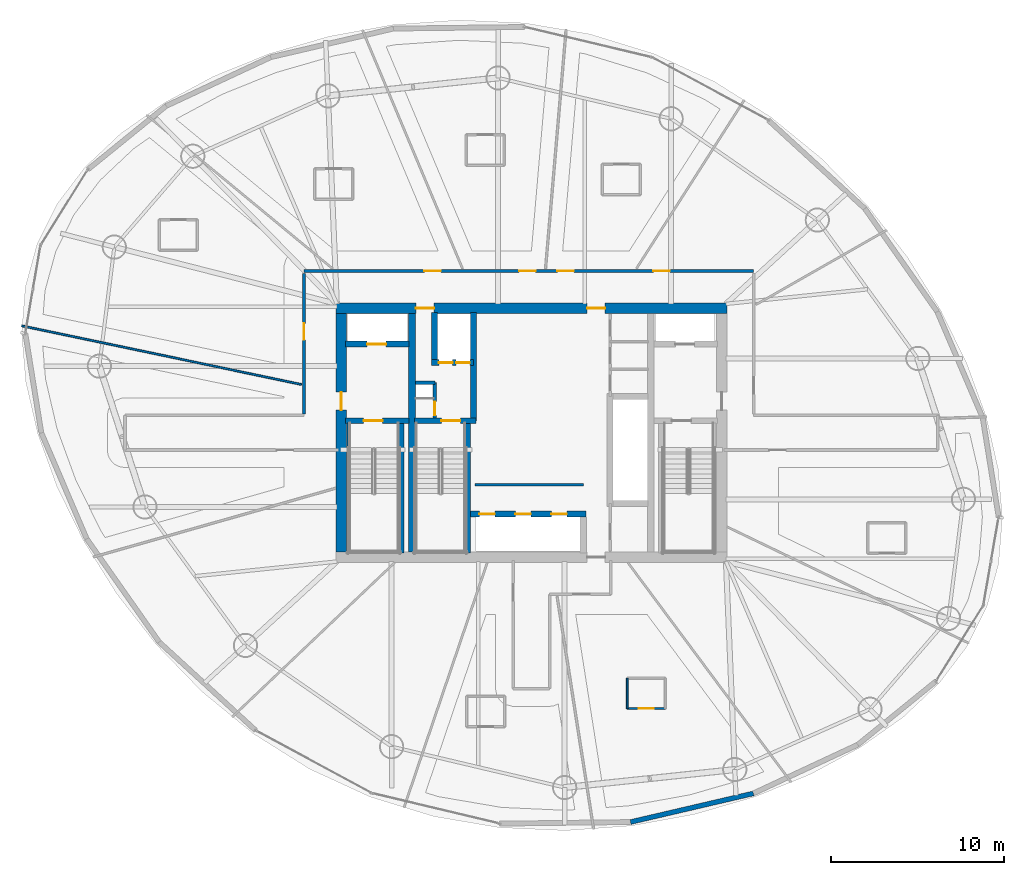
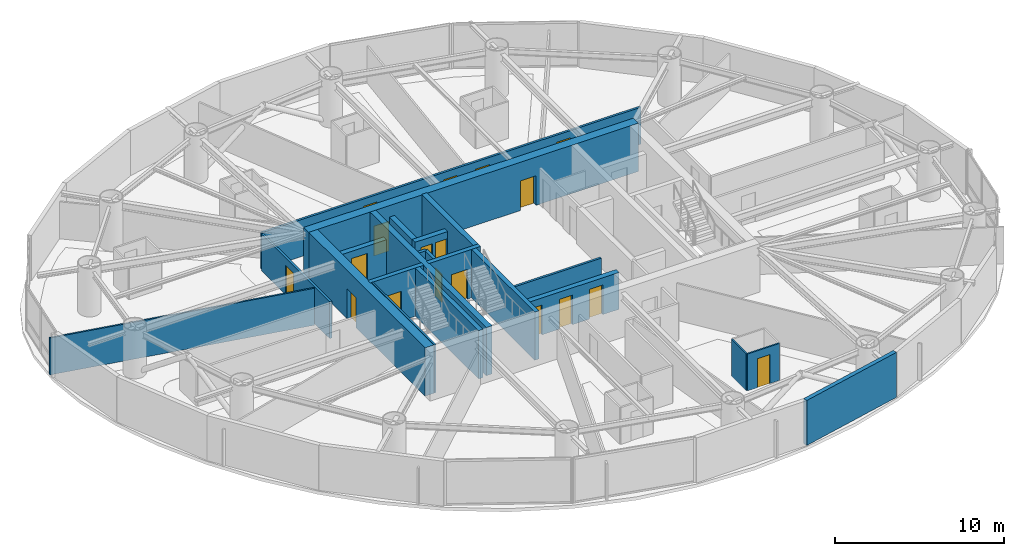
# One storey, part 16 of 22: 22 walls, 18 doors, 18 openings.
"""IFC4 building model written with IfcOpenShell, lengths in metres."""

from ifc_helpers import new_model, si_unit, direction, frame, frame_2d, origin, place, context, subcontext, project, spatial, rectangle, extrude, material, layer, layer_set, type_object, element, fill, save


model = new_model("IFC4")

# Units and contexts
model_context = context("Model", 3, precision=1e-05, world=origin(), true_north=direction((0.0, 1.0)))
body_context = subcontext(model_context, "Body", "Model", "MODEL_VIEW")
ifc_project = project(units=[si_unit("LENGTHUNIT", "METRE"), si_unit("AREAUNIT", "SQUARE_METRE"), si_unit("VOLUMEUNIT", "CUBIC_METRE"), si_unit("PLANEANGLEUNIT", "RADIAN"), si_unit("MASSUNIT", "GRAM", prefix="KILO")], contexts=[model_context])

# Site, building, storey
site_placement = place(None, origin())
site = spatial("IfcSite", under=ifc_project, at=site_placement, CompositionType="ELEMENT")
building_placement = place(site_placement, origin())
building = spatial("IfcBuilding", under=site, at=building_placement, Name="Bramvorn Convention Spire", CompositionType="ELEMENT")
storey_placement = place(building_placement, frame((0.0, 0.0, 116.800048828125)))
storey = spatial("IfcBuildingStorey", under=building, at=storey_placement, Name="L28", CompositionType="ELEMENT", Elevation=116.800048828125)

# Wall, openings, doors
ifc_material_1 = material(Name="Concrete C60/70", Category="concrete")
ifc_layer_1 = layer(ifc_material_1, 0.60009765625)
ifc_layer_set_1 = layer_set([ifc_layer_1], Name="Concrete C60/70 - WL-CORE-600")
wall_type_1 = type_object("IfcWallType", Name="WL-CORE-600", PredefinedType="SHEAR", material=ifc_layer_set_1)
wall_1_placement = place(storey_placement, frame((26.699951171875, 33.199951171875, 0.0), z_axis=(0.0, 0.0, 1.0), x_axis=(1.0, 0.0, 0.0)))
wall_1 = element("IfcWall", 1, at=wall_1_placement, inside=storey, type_object=wall_type_1, Name="L28 North RC core shear wall", PredefinedType="SHEAR", context=body_context, shape_type="SweptSolid", body=[
    extrude(rectangle(XDim=22.60009765625, YDim=0.60009765625, at=frame_2d((11.300048828125, 0.0))), origin(), (0.0, 0.0, 1.0), 3.5),
])
opening_1_placement = place(wall_1_placement, frame((4.6201171875, 0.0, 0.0)))
opening_1 = element("IfcOpeningElement", 2, at=opening_1_placement, cuts=wall_1, Name="Opening DL-105", PredefinedType="OPENING", context=body_context, shape_type="SweptSolid", body=[
    extrude(rectangle(XDim=1.050048828125, YDim=2.14990234375, at=frame_2d((0.52490234375, 1.074951171875))), frame((0.0, 0.31005859375, 0.0), z_axis=(0.0, -1.0, 0.0), x_axis=(1.0, 0.0, 0.0)), (0.0, 0.0, 1.0), 0.6201171875),
])
opening_2_placement = place(wall_1_placement, frame((14.52001953125, 0.0, 0.0)))
opening_2 = element("IfcOpeningElement", 3, at=opening_2_placement, cuts=wall_1, Name="Opening DL-105", PredefinedType="OPENING", context=body_context, shape_type="SweptSolid", body=[
    extrude(rectangle(XDim=1.050048828125, YDim=2.14990234375, at=frame_2d((0.52490234375, 1.074951171875))), frame((0.0, 0.31005859375, 0.0), z_axis=(0.0, -1.0, 0.0), x_axis=(1.0, 0.0, 0.0)), (0.0, 0.0, 1.0), 0.6201171875),
])
ifc_material_2 = material(Name="Smoke-Sealed Fire Lobby Timber-Core Door", Category="wood")
door_type_1 = type_object("IfcDoorType", Name="DR-LOBBY-1050", OperationType="NOTDEFINED", PredefinedType="DOOR", material=ifc_material_2)
door_1_placement = place(opening_1_placement, origin())
door_1 = element("IfcDoor", 4, at=door_1_placement, inside=storey, type_object=door_type_1, Name="L28 Service & Stair ST3 Lobby north corridor door", OperationType="SINGLE_SWING_LEFT", OverallHeight=2.14990234375, OverallWidth=1.050048828125, PredefinedType="DOOR", context=body_context, shape_type="SweptSolid", body=[
    extrude(rectangle(XDim=1.050048828125, YDim=2.14990234375, at=frame_2d((0.52490234375, 1.074951171875))), frame((0.0, 0.02490234375, 0.0), z_axis=(0.0, -1.0, 0.0), x_axis=(1.0, 0.0, 0.0)), (0.0, 0.0, 1.0), 0.050048828125),
])
fill(opening_1, door_1)
door_2_placement = place(opening_2_placement, origin())
door_2 = element("IfcDoor", 5, at=door_2_placement, inside=storey, type_object=door_type_1, Name="L28 North Lift Lobby fire door", OperationType="SINGLE_SWING_LEFT", OverallHeight=2.14990234375, OverallWidth=1.050048828125, PredefinedType="DOOR", context=body_context, shape_type="SweptSolid", body=[
    extrude(rectangle(XDim=1.050048828125, YDim=2.14990234375, at=frame_2d((0.52490234375, 1.074951171875))), frame((0.0, 0.02490234375, 0.0), z_axis=(0.0, -1.0, 0.0), x_axis=(1.0, 0.0, 0.0)), (0.0, 0.0, 1.0), 0.050048828125),
])
fill(opening_2, door_2)

# Wall, opening, door
wall_2_placement = place(storey_placement, frame((27.0, 19.10009765625, 0.0), z_axis=(0.0, 0.0, 1.0), x_axis=(0.0, 1.0, 0.0)))
wall_2 = element("IfcWall", 6, at=wall_2_placement, inside=storey, type_object=wall_type_1, Name="L28 West RC core shear wall", PredefinedType="SHEAR", context=body_context, shape_type="SweptSolid", body=[
    extrude(rectangle(XDim=13.7998046875, YDim=0.60009765625, at=frame_2d((6.89990234375, 0.0))), origin(), (0.0, 0.0, 1.0), 3.5),
])
opening_3_placement = place(wall_2_placement, frame((8.199951171875, 0.0, 0.0)))
opening_3 = element("IfcOpeningElement", 7, at=opening_3_placement, cuts=wall_2, Name="Opening DL-105", PredefinedType="OPENING", context=body_context, shape_type="SweptSolid", body=[
    extrude(rectangle(XDim=1.050048828125, YDim=2.14990234375, at=frame_2d((0.52490234375, 1.074951171875))), frame((0.0, 0.31005859375, 0.0), z_axis=(0.0, -1.0, 0.0), x_axis=(1.0, 0.0, 0.0)), (0.0, 0.0, 1.0), 0.6201171875),
])
door_3_placement = place(opening_3_placement, origin())
door_3 = element("IfcDoor", 8, at=door_3_placement, inside=storey, type_object=door_type_1, Name="L28 West Firefighting Lobby corridor door", OperationType="SINGLE_SWING_RIGHT", OverallHeight=2.14990234375, OverallWidth=1.050048828125, PredefinedType="DOOR", context=body_context, shape_type="SweptSolid", body=[
    extrude(rectangle(XDim=1.050048828125, YDim=2.14990234375, at=frame_2d((0.52490234375, 1.074951171875))), frame((0.0, 0.02490234375, 0.0), z_axis=(0.0, -1.0, 0.0), x_axis=(1.0, 0.0, 0.0)), (0.0, 0.0, 1.0), 0.050048828125),
])
fill(opening_3, door_3)

ifc_material_3 = material(Name="Concrete C50/60", Category="concrete")
ifc_layer_2 = layer(ifc_material_3, 0.35009765625)
ifc_layer_set_2 = layer_set([ifc_layer_2], Name="Concrete C50/60 - WL-CORE-INT-350")
wall_type_2 = type_object("IfcWallType", Name="WL-CORE-INT-350", PredefinedType="SHEAR", material=ifc_layer_set_2)
wall_3_placement = place(storey_placement, frame((27.25, 31.1201171875, 0.0), z_axis=(0.0, 0.0, 1.0), x_axis=(1.0, 0.0, 0.0)))
wall_3 = element("IfcWall", 9, at=wall_3_placement, inside=storey, type_object=wall_type_2, Name="L28 FE1 shaft front wall", PredefinedType="SHEAR", context=body_context, shape_type="SweptSolid", body=[
    extrude(rectangle(XDim=3.669921875, YDim=0.35009765625, at=frame_2d((1.8349609375, 0.0))), origin(), (0.0, 0.0, 1.0), 2.675048828125),
])
opening_4_placement = place(wall_3_placement, frame((1.25, 0.0, 0.0)))
opening_4 = element("IfcOpeningElement", 10, at=opening_4_placement, cuts=wall_3, Name="Opening LD-110", PredefinedType="OPENING", context=body_context, shape_type="SweptSolid", body=[
    extrude(rectangle(XDim=1.10009765625, YDim=2.14990234375, at=frame_2d((0.550048828125, 1.074951171875))), frame((0.0, 0.18505859375, 0.0), z_axis=(0.0, -1.0, 0.0), x_axis=(1.0, 0.0, 0.0)), (0.0, 0.0, 1.0), 0.3701171875),
])
ifc_material_4 = material(Name="Firefighting & Service Lift Sliding Landing Door", Category="steel")
door_type_2 = type_object("IfcDoorType", Name="DR-LIFT-LD-1100", OperationType="NOTDEFINED", PredefinedType="DOOR", material=ifc_material_4)
door_4_placement = place(opening_4_placement, origin())
door_4 = element("IfcDoor", 11, at=door_4_placement, inside=storey, type_object=door_type_2, Name="L28 Lift FE1 Sliding Landing Door", OperationType="SLIDING_TO_LEFT", OverallHeight=2.14990234375, OverallWidth=1.10009765625, PredefinedType="DOOR", context=body_context, shape_type="SweptSolid", body=[
    extrude(rectangle(XDim=1.10009765625, YDim=2.14990234375, at=frame_2d((0.550048828125, 1.074951171875))), frame((0.0, 0.02490234375, 0.0), z_axis=(0.0, -1.0, 0.0), x_axis=(1.0, 0.0, 0.0)), (0.0, 0.0, 1.0), 0.050048828125),
])
fill(opening_4, door_4)

# Wall
wall_4_placement = place(storey_placement, frame((34.639892578125, 26.68994140625, 0.0), z_axis=(0.0, 0.0, 1.0), x_axis=(0.0, 1.0, 0.0)))
element("IfcWall", 12, at=wall_4_placement, inside=storey, type_object=wall_type_2, Name="L28 SV east core shaft wall", PredefinedType="SHEAR", context=body_context, shape_type="SweptSolid", body=[
    extrude(rectangle(XDim=6.260009765625, YDim=0.35009765625, at=frame_2d((3.1298828125, 0.0))), origin(), (0.0, 0.0, 1.0), 3.5),
])

# Wall, openings, doors
wall_5_placement = place(storey_placement, frame((32.22998046875, 30.050048828125, 0.0), z_axis=(0.0, 0.0, 1.0), x_axis=(1.0, 0.0, 0.0)))
wall_5 = element("IfcWall", 13, at=wall_5_placement, inside=storey, type_object=wall_type_2, Name="L28 SV1/SV2 shaft front wall", PredefinedType="SHEAR", context=body_context, shape_type="SweptSolid", body=[
    extrude(rectangle(XDim=2.409912109375, YDim=0.35009765625, at=frame_2d((1.205078125, 0.0))), origin(), (0.0, 0.0, 1.0), 2.675048828125),
])
opening_5_placement = place(wall_5_placement, frame((0.419921875, 0.0, 0.0)))
opening_5 = element("IfcOpeningElement", 14, at=opening_5_placement, cuts=wall_5, Name="Opening LD-080", PredefinedType="OPENING", context=body_context, shape_type="SweptSolid", body=[
    extrude(rectangle(XDim=0.800048828125, YDim=2.14990234375, at=frame_2d((0.39990234375, 1.074951171875))), frame((0.0, 0.18505859375, 0.0), z_axis=(0.0, -1.0, 0.0), x_axis=(1.0, 0.0, 0.0)), (0.0, 0.0, 1.0), 0.3701171875),
])
opening_6_placement = place(wall_5_placement, frame((1.419921875, 0.0, 0.0)))
opening_6 = element("IfcOpeningElement", 15, at=opening_6_placement, cuts=wall_5, Name="Opening LD-080", PredefinedType="OPENING", context=body_context, shape_type="SweptSolid", body=[
    extrude(rectangle(XDim=0.800048828125, YDim=2.14990234375, at=frame_2d((0.39990234375, 1.074951171875))), frame((0.0, 0.18505859375, 0.0), z_axis=(0.0, -1.0, 0.0), x_axis=(1.0, 0.0, 0.0)), (0.0, 0.0, 1.0), 0.3701171875),
])
ifc_material_5 = material(Name="Service Lift Bi-Parting Landing Door", Category="steel")
door_type_3 = type_object("IfcDoorType", Name="DR-LIFT-LD-800", OperationType="NOTDEFINED", PredefinedType="DOOR", material=ifc_material_5)
door_5_placement = place(opening_5_placement, origin())
door_5 = element("IfcDoor", 16, at=door_5_placement, inside=storey, type_object=door_type_3, Name="L28 Lift SV1 Sliding Landing Door", OperationType="SLIDING_TO_LEFT", OverallHeight=2.14990234375, OverallWidth=0.800048828125, PredefinedType="DOOR", context=body_context, shape_type="SweptSolid", body=[
    extrude(rectangle(XDim=0.800048828125, YDim=2.14990234375, at=frame_2d((0.39990234375, 1.074951171875))), frame((0.0, 0.02490234375, 0.0), z_axis=(0.0, -1.0, 0.0), x_axis=(1.0, 0.0, 0.0)), (0.0, 0.0, 1.0), 0.050048828125),
])
fill(opening_5, door_5)
door_6_placement = place(opening_6_placement, origin())
door_6 = element("IfcDoor", 17, at=door_6_placement, inside=storey, type_object=door_type_3, Name="L28 Lift SV2 Sliding Landing Door", OperationType="SLIDING_TO_LEFT", OverallHeight=2.14990234375, OverallWidth=0.800048828125, PredefinedType="DOOR", context=body_context, shape_type="SweptSolid", body=[
    extrude(rectangle(XDim=0.800048828125, YDim=2.14990234375, at=frame_2d((0.39990234375, 1.074951171875))), frame((0.0, 0.02490234375, 0.0), z_axis=(0.0, -1.0, 0.0), x_axis=(1.0, 0.0, 0.0)), (0.0, 0.0, 1.0), 0.050048828125),
])
fill(opening_6, door_6)

# Wall
wall_6_placement = place(storey_placement, frame((32.39990234375, 30.219970703125, 0.0), z_axis=(0.0, 0.0, 1.0), x_axis=(0.0, 1.0, 0.0)))
element("IfcWall", 18, at=wall_6_placement, inside=storey, type_object=wall_type_2, Name="L28 SV1 west hoistway wall", PredefinedType="SHEAR", context=body_context, shape_type="SweptSolid", body=[
    extrude(rectangle(XDim=2.72998046875, YDim=0.35009765625, at=frame_2d((1.364990234375, 0.0))), origin(), (0.0, 0.0, 1.0), 2.675048828125),
])

# Wall, openings, doors
wall_7_placement = place(storey_placement, frame((34.489990234375, 21.300048828125, 0.0), z_axis=(0.0, 0.0, 1.0), x_axis=(1.0, 0.0, 0.0)))
wall_7 = element("IfcWall", 19, at=wall_7_placement, inside=storey, type_object=wall_type_2, Name="L28 Mid-rise bank north landing wall", PredefinedType="SHEAR", context=body_context, shape_type="SweptSolid", body=[
    extrude(rectangle(XDim=6.679931640625, YDim=0.35009765625, at=frame_2d((3.33984375, 0.0))), origin(), (0.0, 0.0, 1.0), 2.675048828125),
])
opening_7_placement = place(wall_7_placement, frame((0.5, 0.0, 0.0)))
opening_7 = element("IfcOpeningElement", 20, at=opening_7_placement, cuts=wall_7, Name="Opening LD-090", PredefinedType="OPENING", context=body_context, shape_type="SweptSolid", body=[
    extrude(rectangle(XDim=0.89990234375, YDim=2.14990234375, at=frame_2d((0.449951171875, 1.074951171875))), frame((0.0, 0.18505859375, 0.0), z_axis=(0.0, -1.0, 0.0), x_axis=(1.0, 0.0, 0.0)), (0.0, 0.0, 1.0), 0.3701171875),
])
opening_8_placement = place(wall_7_placement, frame((2.580078125, 0.0, 0.0)))
opening_8 = element("IfcOpeningElement", 21, at=opening_8_placement, cuts=wall_7, Name="Opening LD-090", PredefinedType="OPENING", context=body_context, shape_type="SweptSolid", body=[
    extrude(rectangle(XDim=0.89990234375, YDim=2.14990234375, at=frame_2d((0.449951171875, 1.074951171875))), frame((0.0, 0.18505859375, 0.0), z_axis=(0.0, -1.0, 0.0), x_axis=(1.0, 0.0, 0.0)), (0.0, 0.0, 1.0), 0.3701171875),
])
opening_9_placement = place(wall_7_placement, frame((4.659912109375, 0.0, 0.0)))
opening_9 = element("IfcOpeningElement", 22, at=opening_9_placement, cuts=wall_7, Name="Opening LD-090", PredefinedType="OPENING", context=body_context, shape_type="SweptSolid", body=[
    extrude(rectangle(XDim=0.89990234375, YDim=2.14990234375, at=frame_2d((0.449951171875, 1.074951171875))), frame((0.0, 0.18505859375, 0.0), z_axis=(0.0, -1.0, 0.0), x_axis=(1.0, 0.0, 0.0)), (0.0, 0.0, 1.0), 0.3701171875),
])
ifc_material_6 = material(Name="Bi-Parting Fire-Rated Lift Landing Door", Category="steel")
door_type_4 = type_object("IfcDoorType", Name="DR-LIFT-LD-900", OperationType="NOTDEFINED", PredefinedType="DOOR", material=ifc_material_6)
door_7_placement = place(opening_7_placement, origin())
door_7 = element("IfcDoor", 23, at=door_7_placement, inside=storey, type_object=door_type_4, Name="L28 Lift PM1 Sliding Landing Door", OperationType="SLIDING_TO_LEFT", OverallHeight=2.14990234375, OverallWidth=0.89990234375, PredefinedType="DOOR", context=body_context, shape_type="SweptSolid", body=[
    extrude(rectangle(XDim=0.89990234375, YDim=2.14990234375, at=frame_2d((0.449951171875, 1.074951171875))), frame((0.0, 0.02490234375, 0.0), z_axis=(0.0, -1.0, 0.0), x_axis=(1.0, 0.0, 0.0)), (0.0, 0.0, 1.0), 0.050048828125),
])
fill(opening_7, door_7)
door_8_placement = place(opening_8_placement, origin())
door_8 = element("IfcDoor", 24, at=door_8_placement, inside=storey, type_object=door_type_4, Name="L28 Lift PM2 Sliding Landing Door", OperationType="SLIDING_TO_LEFT", OverallHeight=2.14990234375, OverallWidth=0.89990234375, PredefinedType="DOOR", context=body_context, shape_type="SweptSolid", body=[
    extrude(rectangle(XDim=0.89990234375, YDim=2.14990234375, at=frame_2d((0.449951171875, 1.074951171875))), frame((0.0, 0.02490234375, 0.0), z_axis=(0.0, -1.0, 0.0), x_axis=(1.0, 0.0, 0.0)), (0.0, 0.0, 1.0), 0.050048828125),
])
fill(opening_8, door_8)
door_9_placement = place(opening_9_placement, origin())
door_9 = element("IfcDoor", 25, at=door_9_placement, inside=storey, type_object=door_type_4, Name="L28 Lift PM3 Sliding Landing Door", OperationType="SLIDING_TO_LEFT", OverallHeight=2.14990234375, OverallWidth=0.89990234375, PredefinedType="DOOR", context=body_context, shape_type="SweptSolid", body=[
    extrude(rectangle(XDim=0.89990234375, YDim=2.14990234375, at=frame_2d((0.449951171875, 1.074951171875))), frame((0.0, 0.02490234375, 0.0), z_axis=(0.0, -1.0, 0.0), x_axis=(1.0, 0.0, 0.0)), (0.0, 0.0, 1.0), 0.050048828125),
])
fill(opening_9, door_9)

# Walls
ifc_layer_3 = layer(ifc_material_1, 0.39990234375)
ifc_layer_set_3 = layer_set([ifc_layer_3], Name="Concrete C60/70 - WL-CORE-INT-400")
wall_type_3 = type_object("IfcWallType", Name="WL-CORE-INT-400", PredefinedType="SHEAR", material=ifc_layer_set_3)
wall_8_placement = place(storey_placement, frame((31.10009765625, 19.10009765625, 0.0), z_axis=(0.0, 0.0, 1.0), x_axis=(0.0, 1.0, 0.0)))
element("IfcWall", 26, at=wall_8_placement, inside=storey, type_object=wall_type_3, Name="L28 West internal core shear web", PredefinedType="SHEAR", context=body_context, shape_type="SweptSolid", body=[
    extrude(rectangle(XDim=13.7998046875, YDim=0.39990234375, at=frame_2d((6.89990234375, 0.0))), origin(), (0.0, 0.0, 1.0), 3.5),
])
ifc_material_7 = material(Name="Precast Concrete C40/50 with Bronze Terracotta Rainscreen", Category="masonry")
ifc_layer_4 = layer(ifc_material_7, 0.300048828125)
ifc_layer_set_4 = layer_set([ifc_layer_4], Name="Precast Concrete C40/50 with Bronze Terracotta Rainscreen - WL-EXT-BRONZE-300")
wall_type_4 = type_object("IfcWallType", Name="WL-EXT-BRONZE-300", PredefinedType="SOLIDWALL", material=ifc_layer_set_4)
wall_9_placement = place(storey_placement, frame((50.83740234375, 5.142333984375, 0.0), z_axis=(0.0, 0.0, 1.0), x_axis=(-0.973870590346, -0.227103661922, 0.0)))
element("IfcWall", 27, at=wall_9_placement, inside=storey, type_object=wall_type_4, Name="L28 expressed bronze Gothic lancet pier wall 21", PredefinedType="SOLIDWALL", context=body_context, shape_type="SweptSolid", body=[
    extrude(rectangle(XDim=7.291748046875, YDim=0.280029296875, at=frame_2d((3.64599609375, 0.0))), origin(), (0.0, 0.0, 1.0), 3.260009765625),
])
ifc_material_8 = material(Name="Lightweight En-Suite & Wet-Wall Partition", Category="gypsum")
ifc_layer_5 = layer(ifc_material_8, 0.110107421875)
ifc_layer_set_5 = layer_set([ifc_layer_5], Name="Lightweight En-Suite & Wet-Wall Partition - WL-PART-110")
wall_type_5 = type_object("IfcWallType", Name="WL-PART-110", PredefinedType="PARTITIONING", material=ifc_layer_set_5)
wall_10_placement = place(storey_placement, frame((24.7099609375, 28.78759765625, 0.0), z_axis=(0.0, 0.0, 1.0), x_axis=(-0.978703463117, 0.205279154524, 0.0)))
element("IfcWall", 28, at=wall_10_placement, inside=storey, type_object=wall_type_5, Name="L28 Guestroom demising wall 7", PredefinedType="PARTITIONING", context=body_context, shape_type="SweptSolid", body=[
    extrude(rectangle(XDim=16.539794921875, YDim=0.110107421875, at=frame_2d((8.27001953125, 0.0))), origin(), (0.0, 0.0, 1.0), 2.675048828125),
])

# Wall, opening, door
wall_11_placement = place(storey_placement, frame((43.541259765625, 10.051513671875, 0.0), z_axis=(0.0, 0.0, 1.0), x_axis=(1.0, 0.0, 0.0)))
wall_11 = element("IfcWall", 29, at=wall_11_placement, inside=storey, type_object=wall_type_5, Name="Hotel Suite 2811 en-suite south wall", PredefinedType="PARTITIONING", context=body_context, shape_type="SweptSolid", body=[
    extrude(rectangle(XDim=2.199951171875, YDim=0.110107421875, at=frame_2d((1.10009765625, 0.0))), origin(), (0.0, 0.0, 1.0), 2.675048828125),
])
opening_10_placement = place(wall_11_placement, frame((0.679931640625, 0.0, 0.0)))
opening_10 = element("IfcOpeningElement", 30, at=opening_10_placement, cuts=wall_11, Name="Opening DI-085", PredefinedType="OPENING", context=body_context, shape_type="SweptSolid", body=[
    extrude(rectangle(XDim=0.85009765625, YDim=2.10009765625, at=frame_2d((0.425048828125, 1.050048828125))), frame((0.0, 0.06494140625, 0.0), z_axis=(0.0, -1.0, 0.0), x_axis=(1.0, 0.0, 0.0)), (0.0, 0.0, 1.0), 0.130126953125),
])
ifc_material_9 = material(Name="En-Suite & Restroom Privacy Door", Category="wood")
door_type_5 = type_object("IfcDoorType", Name="DR-INT-850", OperationType="NOTDEFINED", PredefinedType="DOOR", material=ifc_material_9)
door_10_placement = place(opening_10_placement, origin())
door_10 = element("IfcDoor", 31, at=door_10_placement, inside=storey, type_object=door_type_5, Name="Hotel Suite 2811 En-Suite Bathroom door", OperationType="SINGLE_SWING_LEFT", OverallHeight=2.10009765625, OverallWidth=0.85009765625, PredefinedType="DOOR", context=body_context, shape_type="SweptSolid", body=[
    extrude(rectangle(XDim=0.85009765625, YDim=2.10009765625, at=frame_2d((0.425048828125, 1.050048828125))), frame((0.0, 0.02490234375, 0.0), z_axis=(0.0, -1.0, 0.0), x_axis=(1.0, 0.0, 0.0)), (0.0, 0.0, 1.0), 0.050048828125),
])
fill(opening_10, door_10)

# Walls
wall_12_placement = place(storey_placement, frame((43.541259765625, 10.051513671875, 0.0), z_axis=(0.0, 0.0, 1.0), x_axis=(0.0, 1.0, 0.0)))
element("IfcWall", 32, at=wall_12_placement, inside=storey, type_object=wall_type_5, Name="Hotel Suite 2811 en-suite west wall", PredefinedType="PARTITIONING", context=body_context, shape_type="SweptSolid", body=[
    extrude(rectangle(XDim=1.760009765625, YDim=0.110107421875, at=frame_2d((0.8798828125, 0.0))), origin(), (0.0, 0.0, 1.0), 2.675048828125),
])
ifc_material_10 = material(Name="Acoustic Metal-Stud Tenant/Corridor Partition", Category="gypsum")
ifc_layer_6 = layer(ifc_material_10, 0.14990234375)
ifc_layer_set_6 = layer_set([ifc_layer_6], Name="Acoustic Metal-Stud Tenant/Corridor Partition - WL-PART-150")
wall_type_6 = type_object("IfcWallType", Name="WL-PART-150", PredefinedType="PARTITIONING", material=ifc_layer_set_6)
wall_13_placement = place(storey_placement, frame((34.75, 23.0, 0.0), z_axis=(0.0, 0.0, 1.0), x_axis=(1.0, 0.0, 0.0)))
element("IfcWall", 33, at=wall_13_placement, inside=storey, type_object=wall_type_6, Name="L28 Mid-rise lift vestibule north wall", PredefinedType="PARTITIONING", context=body_context, shape_type="SweptSolid", body=[
    extrude(rectangle(XDim=6.25, YDim=0.14990234375, at=frame_2d((3.125, 0.0))), origin(), (0.0, 0.0, 1.0), 2.675048828125),
])

# Wall, openings, doors
wall_14_placement = place(storey_placement, frame((24.85009765625, 35.35009765625, 0.0), z_axis=(0.0, 0.0, 1.0), x_axis=(1.0, 0.0, 0.0)))
wall_14 = element("IfcWall", 34, at=wall_14_placement, inside=storey, type_object=wall_type_6, Name="L28 North gallery wall", PredefinedType="PARTITIONING", context=body_context, shape_type="SweptSolid", body=[
    extrude(rectangle(XDim=26.0, YDim=0.14990234375, at=frame_2d((13.0, 0.0))), origin(), (0.0, 0.0, 1.0), 2.675048828125),
])
opening_11_placement = place(wall_14_placement, frame((20.210205078125, 0.0, 0.0)))
opening_11 = element("IfcOpeningElement", 35, at=opening_11_placement, cuts=wall_14, Name="Opening DH-095", PredefinedType="OPENING", context=body_context, shape_type="SweptSolid", body=[
    extrude(rectangle(XDim=0.949951171875, YDim=2.14990234375, at=frame_2d((0.47509765625, 1.074951171875))), frame((0.0, 0.0849609375, 0.0), z_axis=(0.0, -1.0, 0.0), x_axis=(1.0, 0.0, 0.0)), (0.0, 0.0, 1.0), 0.169921875),
])
opening_12_placement = place(wall_14_placement, frame((14.6552734375, 0.0, 0.0)))
opening_12 = element("IfcOpeningElement", 36, at=opening_12_placement, cuts=wall_14, Name="Opening DH-095", PredefinedType="OPENING", context=body_context, shape_type="SweptSolid", body=[
    extrude(rectangle(XDim=0.949951171875, YDim=2.14990234375, at=frame_2d((0.47509765625, 1.074951171875))), frame((0.0, 0.0849609375, 0.0), z_axis=(0.0, -1.0, 0.0), x_axis=(1.0, 0.0, 0.0)), (0.0, 0.0, 1.0), 0.169921875),
])
opening_13_placement = place(wall_14_placement, frame((12.44140625, 0.0, 0.0)))
opening_13 = element("IfcOpeningElement", 37, at=opening_13_placement, cuts=wall_14, Name="Opening DH-095", PredefinedType="OPENING", context=body_context, shape_type="SweptSolid", body=[
    extrude(rectangle(XDim=0.949951171875, YDim=2.14990234375, at=frame_2d((0.47509765625, 1.074951171875))), frame((0.0, 0.0849609375, 0.0), z_axis=(0.0, -1.0, 0.0), x_axis=(1.0, 0.0, 0.0)), (0.0, 0.0, 1.0), 0.169921875),
])
opening_14_placement = place(wall_14_placement, frame((6.958984375, 0.0, 0.0)))
opening_14 = element("IfcOpeningElement", 38, at=opening_14_placement, cuts=wall_14, Name="Opening DH-095", PredefinedType="OPENING", context=body_context, shape_type="SweptSolid", body=[
    extrude(rectangle(XDim=0.949951171875, YDim=2.14990234375, at=frame_2d((0.47509765625, 1.074951171875))), frame((0.0, 0.0849609375, 0.0), z_axis=(0.0, -1.0, 0.0), x_axis=(1.0, 0.0, 0.0)), (0.0, 0.0, 1.0), 0.169921875),
])
ifc_material_11 = material(Name="Solid-Core Acoustic Guestroom Entry Door", Category="wood")
door_type_6 = type_object("IfcDoorType", Name="DR-HOTEL-950", OperationType="NOTDEFINED", PredefinedType="DOOR", material=ifc_material_11)
door_11_placement = place(opening_11_placement, origin())
door_11 = element("IfcDoor", 39, at=door_11_placement, inside=storey, type_object=door_type_6, Name="L28 Hospitality Lounge 2 door", OperationType="SINGLE_SWING_LEFT", OverallHeight=2.14990234375, OverallWidth=0.949951171875, PredefinedType="DOOR", context=body_context, shape_type="SweptSolid", body=[
    extrude(rectangle(XDim=0.949951171875, YDim=2.14990234375, at=frame_2d((0.47509765625, 1.074951171875))), frame((0.0, 0.02490234375, 0.0), z_axis=(0.0, -1.0, 0.0), x_axis=(1.0, 0.0, 0.0)), (0.0, 0.0, 1.0), 0.050048828125),
])
fill(opening_11, door_11)
door_12_placement = place(opening_12_placement, origin())
door_12 = element("IfcDoor", 40, at=door_12_placement, inside=storey, type_object=door_type_6, Name="Hotel Suite 2803 entry door", OperationType="SINGLE_SWING_LEFT", OverallHeight=2.14990234375, OverallWidth=0.949951171875, PredefinedType="DOOR", context=body_context, shape_type="SweptSolid", body=[
    extrude(rectangle(XDim=0.949951171875, YDim=2.14990234375, at=frame_2d((0.47509765625, 1.074951171875))), frame((0.0, 0.02490234375, 0.0), z_axis=(0.0, -1.0, 0.0), x_axis=(1.0, 0.0, 0.0)), (0.0, 0.0, 1.0), 0.050048828125),
])
fill(opening_12, door_12)
door_13_placement = place(opening_13_placement, origin())
door_13 = element("IfcDoor", 41, at=door_13_placement, inside=storey, type_object=door_type_6, Name="Hotel Suite 2804 entry door", OperationType="SINGLE_SWING_RIGHT", OverallHeight=2.14990234375, OverallWidth=0.949951171875, PredefinedType="DOOR", context=body_context, shape_type="SweptSolid", body=[
    extrude(rectangle(XDim=0.949951171875, YDim=2.14990234375, at=frame_2d((0.47509765625, 1.074951171875))), frame((0.0, 0.02490234375, 0.0), z_axis=(0.0, -1.0, 0.0), x_axis=(1.0, 0.0, 0.0)), (0.0, 0.0, 1.0), 0.050048828125),
])
fill(opening_13, door_13)
door_14_placement = place(opening_14_placement, origin())
door_14 = element("IfcDoor", 42, at=door_14_placement, inside=storey, type_object=door_type_6, Name="Hotel Suite 2805 entry door", OperationType="SINGLE_SWING_RIGHT", OverallHeight=2.14990234375, OverallWidth=0.949951171875, PredefinedType="DOOR", context=body_context, shape_type="SweptSolid", body=[
    extrude(rectangle(XDim=0.949951171875, YDim=2.14990234375, at=frame_2d((0.47509765625, 1.074951171875))), frame((0.0, 0.02490234375, 0.0), z_axis=(0.0, -1.0, 0.0), x_axis=(1.0, 0.0, 0.0)), (0.0, 0.0, 1.0), 0.050048828125),
])
fill(opening_14, door_14)

# Wall, opening, door
wall_15_placement = place(storey_placement, frame((24.85009765625, 27.080078125, 0.0), z_axis=(0.0, 0.0, 1.0), x_axis=(0.0, 1.0, 0.0)))
wall_15 = element("IfcWall", 43, at=wall_15_placement, inside=storey, type_object=wall_type_6, Name="L28 NW gallery cheek", PredefinedType="PARTITIONING", context=body_context, shape_type="SweptSolid", body=[
    extrude(rectangle(XDim=8.119873046875, YDim=0.14990234375, at=frame_2d((4.06005859375, 0.0))), origin(), (0.0, 0.0, 1.0), 2.675048828125),
])
opening_15_placement = place(wall_15_placement, frame((4.288330078125, 0.0, 0.0)))
opening_15 = element("IfcOpeningElement", 44, at=opening_15_placement, cuts=wall_15, Name="Opening DH-095", PredefinedType="OPENING", context=body_context, shape_type="SweptSolid", body=[
    extrude(rectangle(XDim=0.949951171875, YDim=2.14990234375, at=frame_2d((0.47509765625, 1.074951171875))), frame((0.0, 0.0849609375, 0.0), z_axis=(0.0, -1.0, 0.0), x_axis=(1.0, 0.0, 0.0)), (0.0, 0.0, 1.0), 0.169921875),
])
door_15_placement = place(opening_15_placement, origin())
door_15 = element("IfcDoor", 45, at=door_15_placement, inside=storey, type_object=door_type_6, Name="Hotel Suite 2806 entry door", OperationType="SINGLE_SWING_RIGHT", OverallHeight=2.14990234375, OverallWidth=0.949951171875, PredefinedType="DOOR", context=body_context, shape_type="SweptSolid", body=[
    extrude(rectangle(XDim=0.949951171875, YDim=2.14990234375, at=frame_2d((0.47509765625, 1.074951171875))), frame((0.0, 0.02490234375, 0.0), z_axis=(0.0, -1.0, 0.0), x_axis=(1.0, 0.0, 0.0)), (0.0, 0.0, 1.0), 0.050048828125),
])
fill(opening_15, door_15)

ifc_material_12 = material(Name="Gypsum Shaftwall & Rockwool Core Partition", Category="gypsum")
ifc_layer_7 = layer(ifc_material_12, 0.199951171875)
ifc_layer_set_7 = layer_set([ifc_layer_7], Name="Gypsum Shaftwall & Rockwool Core Partition - WL-PART-200-FR")
wall_type_7 = type_object("IfcWallType", Name="WL-PART-200-FR", PredefinedType="PARTITIONING", material=ifc_layer_set_7)
wall_16_placement = place(storey_placement, frame((32.419921875, 26.860107421875, 0.0), z_axis=(0.0, 0.0, 1.0), x_axis=(0.0, 1.0, 0.0)))
wall_16 = element("IfcWall", 46, at=wall_16_placement, inside=storey, type_object=wall_type_7, Name="L28 Telecom riser east wall", PredefinedType="PARTITIONING", context=body_context, shape_type="SweptSolid", body=[
    extrude(rectangle(XDim=2.039794921875, YDim=0.199951171875, at=frame_2d((1.02001953125, 0.0))), origin(), (0.0, 0.0, 1.0), 2.675048828125),
])
opening_16_placement = place(wall_16_placement, frame((0.139892578125, 0.0, 0.0)))
opening_16 = element("IfcOpeningElement", 47, at=opening_16_placement, cuts=wall_16, Name="Opening DR-080", PredefinedType="OPENING", context=body_context, shape_type="SweptSolid", body=[
    extrude(rectangle(XDim=0.800048828125, YDim=2.050048828125, at=frame_2d((0.39990234375, 1.02490234375))), frame((0.0, 0.10986328125, 0.0), z_axis=(0.0, -1.0, 0.0), x_axis=(1.0, 0.0, 0.0)), (0.0, 0.0, 1.0), 0.219970703125),
])
ifc_material_13 = material(Name="Flush Steel Riser Access Door", Category="steel")
door_type_7 = type_object("IfcDoorType", Name="DR-RISER-800", OperationType="NOTDEFINED", PredefinedType="DOOR", material=ifc_material_13)
door_16_placement = place(opening_16_placement, origin())
door_16 = element("IfcDoor", 48, at=door_16_placement, inside=storey, type_object=door_type_7, Name="L28 Telecom riser access door", OperationType="SINGLE_SWING_RIGHT", OverallHeight=2.050048828125, OverallWidth=0.800048828125, PredefinedType="DOOR", context=body_context, shape_type="SweptSolid", body=[
    extrude(rectangle(XDim=0.800048828125, YDim=2.050048828125, at=frame_2d((0.39990234375, 1.02490234375))), frame((0.0, 0.02490234375, 0.0), z_axis=(0.0, -1.0, 0.0), x_axis=(1.0, 0.0, 0.0)), (0.0, 0.0, 1.0), 0.050048828125),
])
fill(opening_16, door_16)

# Wall
wall_17_placement = place(storey_placement, frame((31.300048828125, 28.89990234375, 0.0), z_axis=(0.0, 0.0, 1.0), x_axis=(1.0, 0.0, 0.0)))
element("IfcWall", 49, at=wall_17_placement, inside=storey, type_object=wall_type_7, Name="L28 Telecom riser north wall", PredefinedType="PARTITIONING", context=body_context, shape_type="SweptSolid", body=[
    extrude(rectangle(XDim=1.119873046875, YDim=0.199951171875, at=frame_2d((0.56005859375, 0.0))), origin(), (0.0, 0.0, 1.0), 2.675048828125),
])

# Wall, opening, door
ifc_layer_8 = layer(ifc_material_3, 0.300048828125)
ifc_layer_set_8 = layer_set([ifc_layer_8], Name="Concrete C50/60 - WL-POD-STAIR-300")
wall_type_8 = type_object("IfcWallType", Name="WL-POD-STAIR-300", PredefinedType="SHEAR", material=ifc_layer_set_8)
wall_18_placement = place(storey_placement, frame((27.25, 26.68994140625, 0.0), z_axis=(0.0, 0.0, 1.0), x_axis=(1.0, 0.0, 0.0)))
wall_18 = element("IfcWall", 50, at=wall_18_placement, inside=storey, type_object=wall_type_8, Name="L28 ST1 north fire wall", PredefinedType="SHEAR", context=body_context, shape_type="SweptSolid", body=[
    extrude(rectangle(XDim=3.669921875, YDim=0.300048828125, at=frame_2d((1.8349609375, 0.0))), origin(), (0.0, 0.0, 1.0), 3.5),
])
opening_17_placement = place(wall_18_placement, frame((1.050048828125, 0.0, 0.0)))
opening_17 = element("IfcOpeningElement", 51, at=opening_17_placement, cuts=wall_18, Name="Opening DS-110", PredefinedType="OPENING", context=body_context, shape_type="SweptSolid", body=[
    extrude(rectangle(XDim=1.10009765625, YDim=2.14990234375, at=frame_2d((0.550048828125, 1.074951171875))), frame((0.0, 0.159912109375, 0.0), z_axis=(0.0, -1.0, 0.0), x_axis=(1.0, 0.0, 0.0)), (0.0, 0.0, 1.0), 0.320068359375),
])
ifc_material_14 = material(Name="Fire-Rated Hollow Steel Stairwell Door", Category="steel")
door_type_8 = type_object("IfcDoorType", Name="DR-STAIR-1100", OperationType="NOTDEFINED", PredefinedType="DOOR", material=ifc_material_14)
door_17_placement = place(opening_17_placement, origin())
door_17 = element("IfcDoor", 52, at=door_17_placement, inside=storey, type_object=door_type_8, Name="L28 Stair ST1 fire door", OperationType="SINGLE_SWING_LEFT", OverallHeight=2.14990234375, OverallWidth=1.10009765625, PredefinedType="DOOR", context=body_context, shape_type="SweptSolid", body=[
    extrude(rectangle(XDim=1.10009765625, YDim=2.14990234375, at=frame_2d((0.550048828125, 1.074951171875))), frame((0.0, 0.02490234375, 0.0), z_axis=(0.0, -1.0, 0.0), x_axis=(1.0, 0.0, 0.0)), (0.0, 0.0, 1.0), 0.050048828125),
])
fill(opening_17, door_17)

# Walls
for number, where, z_axis, x_axis, name in (
    (53, (30.489990234375, 19.050048828125, 0.0), (0.0, 0.0, 1.0), (0.0, 1.0, 0.0), "L28 ST1 east bearing wall"),
    (54, (34.340087890625, 19.050048828125, 0.0), (0.0, 0.0, 1.0), (0.0, 1.0, 0.0), "L28 ST3 east bearing wall"),
):
    element("IfcWall", number, at=place(storey_placement, frame(where, z_axis=z_axis, x_axis=x_axis)), inside=storey, type_object=wall_type_8, Name=name, PredefinedType="SHEAR", context=body_context, shape_type="SweptSolid", body=[
        extrude(rectangle(XDim=7.5, YDim=0.300048828125, at=frame_2d((3.75, 0.0))), origin(), (0.0, 0.0, 1.0), 3.5),
    ])

# Wall, opening, door
wall_19_placement = place(storey_placement, frame((31.25, 26.68994140625, 0.0), z_axis=(0.0, 0.0, 1.0), x_axis=(1.0, 0.0, 0.0)))
wall_19 = element("IfcWall", 55, at=wall_19_placement, inside=storey, type_object=wall_type_8, Name="L28 ST3 north lobby wall", PredefinedType="SHEAR", context=body_context, shape_type="SweptSolid", body=[
    extrude(rectangle(XDim=3.56005859375, YDim=0.300048828125, at=frame_2d((1.780029296875, 0.0))), origin(), (0.0, 0.0, 1.0), 3.5),
])
opening_18_placement = place(wall_19_placement, frame((1.550048828125, 0.0, 0.0)))
opening_18 = element("IfcOpeningElement", 56, at=opening_18_placement, cuts=wall_19, Name="Opening DS-110", PredefinedType="OPENING", context=body_context, shape_type="SweptSolid", body=[
    extrude(rectangle(XDim=1.10009765625, YDim=2.14990234375, at=frame_2d((0.550048828125, 1.074951171875))), frame((0.0, 0.159912109375, 0.0), z_axis=(0.0, -1.0, 0.0), x_axis=(1.0, 0.0, 0.0)), (0.0, 0.0, 1.0), 0.320068359375),
])
door_18_placement = place(opening_18_placement, origin())
door_18 = element("IfcDoor", 57, at=door_18_placement, inside=storey, type_object=door_type_8, Name="L28 Stair ST3 fire door", OperationType="SINGLE_SWING_LEFT", OverallHeight=2.14990234375, OverallWidth=1.10009765625, PredefinedType="DOOR", context=body_context, shape_type="SweptSolid", body=[
    extrude(rectangle(XDim=1.10009765625, YDim=2.14990234375, at=frame_2d((0.550048828125, 1.074951171875))), frame((0.0, 0.02490234375, 0.0), z_axis=(0.0, -1.0, 0.0), x_axis=(1.0, 0.0, 0.0)), (0.0, 0.0, 1.0), 0.050048828125),
])
fill(opening_18, door_18)

# Wall
ifc_layer_9 = layer(ifc_material_3, 0.1201171875)
ifc_layer_set_9 = layer_set([ifc_layer_9], Name="Concrete C50/60 - WL-STAIR-RC-120")
wall_type_9 = type_object("IfcWallType", Name="WL-STAIR-RC-120", PredefinedType="SHEAR", material=ifc_layer_set_9)
wall_20_placement = place(storey_placement, frame((27.39501953125, 19.10009765625, 0.0), z_axis=(0.0, 0.0, 1.0), x_axis=(0.0, 1.0, 0.0)))
element("IfcWall", 58, at=wall_20_placement, inside=storey, type_object=wall_type_9, Name="L28 ST1 west bearing shear wall", PredefinedType="SHEAR", context=body_context, shape_type="SweptSolid", body=[
    extrude(rectangle(XDim=7.449951171875, YDim=0.1201171875, at=frame_2d((3.72509765625, 0.0))), origin(), (0.0, 0.0, 1.0), 3.5),
])

save(model, "model.ifc")
